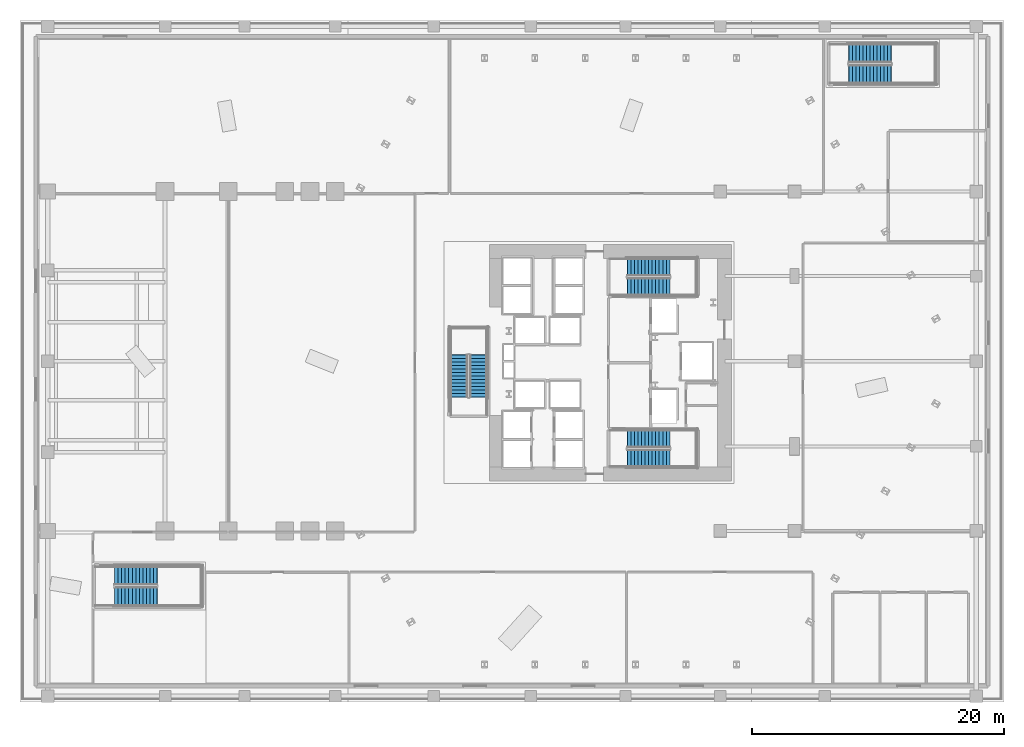
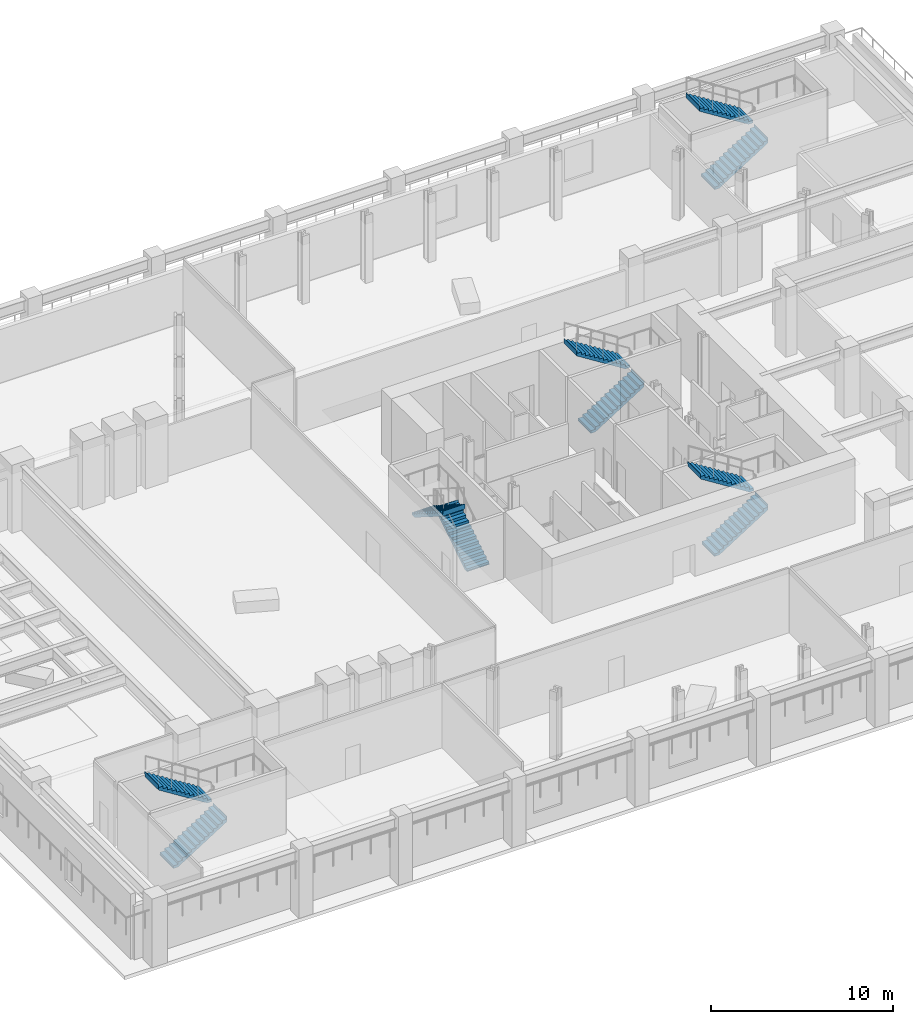
# One storey, part 8 of 18: 10 stair flights, 5 elements without a shape of their own.
"""IFC4 building model written with IfcOpenShell, lengths in metres."""

from ifc_helpers import new_model, si_unit, direction, frame, origin, place, context, subcontext, project, spatial, polyline, outline, extrude, material, type_object, element, aggregate, save


model = new_model("IFC4")

# Units and contexts
model_context = context("Model", 3, precision=1e-05, world=origin(), true_north=direction((0.0, 1.0)))
body_context = subcontext(model_context, "Body", "Model", "MODEL_VIEW")
ifc_project = project(units=[si_unit("LENGTHUNIT", "METRE"), si_unit("AREAUNIT", "SQUARE_METRE"), si_unit("VOLUMEUNIT", "CUBIC_METRE"), si_unit("PLANEANGLEUNIT", "RADIAN"), si_unit("MASSUNIT", "GRAM", prefix="KILO")], contexts=[model_context])

# Site, building, storey
site_placement = place(None, origin())
site = spatial("IfcSite", under=ifc_project, at=site_placement, CompositionType="ELEMENT")
building_placement = place(site_placement, origin())
building = spatial("IfcBuilding", under=site, at=building_placement, Name="Valkerne Bourse Tower", CompositionType="ELEMENT")
storey_placement = place(building_placement, frame((0.0, 0.0, 14.800048828125)))
storey = spatial("IfcBuildingStorey", under=building, at=storey_placement, Name="L03", CompositionType="ELEMENT", Elevation=14.800048828125)

# Stair, stair flights
ifc_material = material(Name="Concrete C40/50", Category="concrete")
stair_type_1 = type_object("IfcStairType", Name="ST-CORE-1400", PredefinedType="HALF_TURN_STAIR", material=ifc_material)
stair_1_placement = place(storey_placement, origin())
stair_1 = element("IfcStair", 1, at=stair_1_placement, inside=storey, type_object=stair_type_1, Name="L03 ST-1", PredefinedType="HALF_TURN_STAIR")
stair_flight_type_1 = type_object("IfcStairFlightType", Name="STF-CORE-1400", PredefinedType="STRAIGHT", material=ifc_material)
stair_flight_1_placement = place(storey_placement, frame((48.14990234375, 19.300048828125, 0.0), z_axis=(0.0, 0.0, 1.0), x_axis=(1.0, 0.0, 0.0)))
stair_flight_1 = element("IfcStairFlight", 2, at=stair_flight_1_placement, type_object=stair_flight_type_1, Name="ST-1 flight 1", NumberOfRisers=13, NumberOfTreads=12, PredefinedType="STRAIGHT", RiserHeight=0.176923077, TreadLength=0.28, context=body_context, shape_type="SweptSolid", body=[
    extrude(outline(polyline([(-0.02001953125, 0.0), (-0.02001953125, 0.044921875), (0.0, 0.044921875), (0.0, 0.177001953125), (0.280029296875, 0.177001953125), (0.280029296875, 0.353759765625), (0.56005859375, 0.353759765625), (0.56005859375, 0.53076171875), (0.840087890625, 0.53076171875), (0.840087890625, 0.707763671875), (1.1201171875, 0.707763671875), (1.1201171875, 0.884521484375), (1.39990234375, 0.884521484375), (1.39990234375, 1.0615234375), (1.679931640625, 1.0615234375), (1.679931640625, 1.238525390625), (1.9599609375, 1.238525390625), (1.9599609375, 1.415283203125), (2.239990234375, 1.415283203125), (2.239990234375, 1.59228515625), (2.52001953125, 1.59228515625), (2.52001953125, 1.769287109375), (2.800048828125, 1.769287109375), (2.800048828125, 1.946044921875), (3.080078125, 1.946044921875), (3.080078125, 2.123046875), (3.360107421875, 2.123046875), (3.360107421875, 2.300048828125), (3.3798828125, 2.300048828125), (3.3798828125, 2.179931640625), (3.360107421875, 1.94580078125), (0.280517578125, 0.0), (-0.02001953125, 0.0)])), frame((0.0, 0.699951171875, 0.0), z_axis=(0.0, -1.0, 0.0), x_axis=(1.0, 0.0, 0.0)), (0.0, 0.0, 1.0), 1.39990234375),
])
stair_flight_2_placement = place(storey_placement, frame((51.510009765625, 20.85009765625, 2.300048828125), z_axis=(0.0, 0.0, 1.0), x_axis=(-1.0, 0.0, 0.0)))
stair_flight_2 = element("IfcStairFlight", 3, at=stair_flight_2_placement, type_object=stair_flight_type_1, Name="ST-1 flight 2", NumberOfRisers=13, NumberOfTreads=12, PredefinedType="STRAIGHT", RiserHeight=0.176923077, TreadLength=0.28, context=body_context, shape_type="SweptSolid", body=[
    extrude(outline(polyline([(-0.02001953125, 0.0), (-0.02001953125, 0.044921875), (0.0, 0.044921875), (0.0, 0.177001953125), (0.280029296875, 0.177001953125), (0.280029296875, 0.353759765625), (0.56005859375, 0.353759765625), (0.56005859375, 0.53076171875), (0.840087890625, 0.53076171875), (0.840087890625, 0.707763671875), (1.1201171875, 0.707763671875), (1.1201171875, 0.884521484375), (1.39990234375, 0.884521484375), (1.39990234375, 1.0615234375), (1.679931640625, 1.0615234375), (1.679931640625, 1.238525390625), (1.9599609375, 1.238525390625), (1.9599609375, 1.415283203125), (2.239990234375, 1.415283203125), (2.239990234375, 1.59228515625), (2.52001953125, 1.59228515625), (2.52001953125, 1.769287109375), (2.800048828125, 1.769287109375), (2.800048828125, 1.946044921875), (3.080078125, 1.946044921875), (3.080078125, 2.123046875), (3.360107421875, 2.123046875), (3.360107421875, 2.300048828125), (3.3798828125, 2.300048828125), (3.3798828125, 2.179931640625), (3.360107421875, 1.94580078125), (0.280517578125, 0.0), (-0.02001953125, 0.0)])), frame((0.0, 0.699951171875, 0.0), z_axis=(0.0, -1.0, 0.0), x_axis=(1.0, 0.0, 0.0)), (0.0, 0.0, 1.0), 1.39990234375),
])
aggregate(stair_1, [stair_flight_1, stair_flight_2])

stair_2_placement = place(storey_placement, origin())
stair_2 = element("IfcStair", 4, at=stair_2_placement, inside=storey, type_object=stair_type_1, Name="L03 ST-2", PredefinedType="HALF_TURN_STAIR")
stair_flight_3_placement = place(storey_placement, frame((48.14990234375, 32.89990234375, 0.0), z_axis=(0.0, 0.0, 1.0), x_axis=(1.0, 0.0, 0.0)))
stair_flight_3 = element("IfcStairFlight", 5, at=stair_flight_3_placement, type_object=stair_flight_type_1, Name="ST-2 flight 1", NumberOfRisers=13, NumberOfTreads=12, PredefinedType="STRAIGHT", RiserHeight=0.176923077, TreadLength=0.28, context=body_context, shape_type="SweptSolid", body=[
    extrude(outline(polyline([(-0.02001953125, 0.0), (-0.02001953125, 0.044921875), (0.0, 0.044921875), (0.0, 0.177001953125), (0.280029296875, 0.177001953125), (0.280029296875, 0.353759765625), (0.56005859375, 0.353759765625), (0.56005859375, 0.53076171875), (0.840087890625, 0.53076171875), (0.840087890625, 0.707763671875), (1.1201171875, 0.707763671875), (1.1201171875, 0.884521484375), (1.39990234375, 0.884521484375), (1.39990234375, 1.0615234375), (1.679931640625, 1.0615234375), (1.679931640625, 1.238525390625), (1.9599609375, 1.238525390625), (1.9599609375, 1.415283203125), (2.239990234375, 1.415283203125), (2.239990234375, 1.59228515625), (2.52001953125, 1.59228515625), (2.52001953125, 1.769287109375), (2.800048828125, 1.769287109375), (2.800048828125, 1.946044921875), (3.080078125, 1.946044921875), (3.080078125, 2.123046875), (3.360107421875, 2.123046875), (3.360107421875, 2.300048828125), (3.3798828125, 2.300048828125), (3.3798828125, 2.179931640625), (3.360107421875, 1.94580078125), (0.280517578125, 0.0), (-0.02001953125, 0.0)])), frame((0.0, 0.699951171875, 0.0), z_axis=(0.0, -1.0, 0.0), x_axis=(1.0, 0.0, 0.0)), (0.0, 0.0, 1.0), 1.39990234375),
])
stair_flight_4_placement = place(storey_placement, frame((51.510009765625, 34.449951171875, 2.300048828125), z_axis=(0.0, 0.0, 1.0), x_axis=(-1.0, 0.0, 0.0)))
stair_flight_4 = element("IfcStairFlight", 6, at=stair_flight_4_placement, type_object=stair_flight_type_1, Name="ST-2 flight 2", NumberOfRisers=13, NumberOfTreads=12, PredefinedType="STRAIGHT", RiserHeight=0.176923077, TreadLength=0.28, context=body_context, shape_type="SweptSolid", body=[
    extrude(outline(polyline([(-0.02001953125, 0.0), (-0.02001953125, 0.044921875), (0.0, 0.044921875), (0.0, 0.177001953125), (0.280029296875, 0.177001953125), (0.280029296875, 0.353759765625), (0.56005859375, 0.353759765625), (0.56005859375, 0.53076171875), (0.840087890625, 0.53076171875), (0.840087890625, 0.707763671875), (1.1201171875, 0.707763671875), (1.1201171875, 0.884521484375), (1.39990234375, 0.884521484375), (1.39990234375, 1.0615234375), (1.679931640625, 1.0615234375), (1.679931640625, 1.238525390625), (1.9599609375, 1.238525390625), (1.9599609375, 1.415283203125), (2.239990234375, 1.415283203125), (2.239990234375, 1.59228515625), (2.52001953125, 1.59228515625), (2.52001953125, 1.769287109375), (2.800048828125, 1.769287109375), (2.800048828125, 1.946044921875), (3.080078125, 1.946044921875), (3.080078125, 2.123046875), (3.360107421875, 2.123046875), (3.360107421875, 2.300048828125), (3.3798828125, 2.300048828125), (3.3798828125, 2.179931640625), (3.360107421875, 1.94580078125), (0.280517578125, 0.0), (-0.02001953125, 0.0)])), frame((0.0, 0.699951171875, 0.0), z_axis=(0.0, -1.0, 0.0), x_axis=(1.0, 0.0, 0.0)), (0.0, 0.0, 1.0), 1.39990234375),
])
aggregate(stair_2, [stair_flight_3, stair_flight_4])

stair_3_placement = place(storey_placement, origin())
stair_3 = element("IfcStair", 7, at=stair_3_placement, inside=storey, type_object=stair_type_1, Name="L03 ST-3", PredefinedType="HALF_TURN_STAIR")
stair_flight_5_placement = place(storey_placement, frame((36.35009765625, 24.14990234375, 0.0), z_axis=(0.0, 0.0, 1.0), x_axis=(0.0, 1.0, 0.0)))
stair_flight_5 = element("IfcStairFlight", 8, at=stair_flight_5_placement, type_object=stair_flight_type_1, Name="ST-3 flight 1", NumberOfRisers=13, NumberOfTreads=12, PredefinedType="STRAIGHT", RiserHeight=0.176923077, TreadLength=0.28, context=body_context, shape_type="SweptSolid", body=[
    extrude(outline(polyline([(-0.02001953125, 0.0), (-0.02001953125, 0.044921875), (0.0, 0.044921875), (0.0, 0.177001953125), (0.280029296875, 0.177001953125), (0.280029296875, 0.353759765625), (0.56005859375, 0.353759765625), (0.56005859375, 0.53076171875), (0.840087890625, 0.53076171875), (0.840087890625, 0.707763671875), (1.1201171875, 0.707763671875), (1.1201171875, 0.884521484375), (1.39990234375, 0.884521484375), (1.39990234375, 1.0615234375), (1.679931640625, 1.0615234375), (1.679931640625, 1.238525390625), (1.9599609375, 1.238525390625), (1.9599609375, 1.415283203125), (2.239990234375, 1.415283203125), (2.239990234375, 1.59228515625), (2.52001953125, 1.59228515625), (2.52001953125, 1.769287109375), (2.800048828125, 1.769287109375), (2.800048828125, 1.946044921875), (3.080078125, 1.946044921875), (3.080078125, 2.123046875), (3.360107421875, 2.123046875), (3.360107421875, 2.300048828125), (3.3798828125, 2.300048828125), (3.3798828125, 2.179931640625), (3.360107421875, 1.94580078125), (0.280517578125, 0.0), (-0.02001953125, 0.0)])), frame((0.0, 0.699951171875, 0.0), z_axis=(0.0, -1.0, 0.0), x_axis=(1.0, 0.0, 0.0)), (0.0, 0.0, 1.0), 1.39990234375),
])
stair_flight_6_placement = place(storey_placement, frame((34.800048828125, 27.510009765625, 2.300048828125), z_axis=(0.0, 0.0, 1.0), x_axis=(0.0, -1.0, 0.0)))
stair_flight_6 = element("IfcStairFlight", 9, at=stair_flight_6_placement, type_object=stair_flight_type_1, Name="ST-3 flight 2", NumberOfRisers=13, NumberOfTreads=12, PredefinedType="STRAIGHT", RiserHeight=0.176923077, TreadLength=0.28, context=body_context, shape_type="SweptSolid", body=[
    extrude(outline(polyline([(-0.02001953125, 0.0), (-0.02001953125, 0.044921875), (0.0, 0.044921875), (0.0, 0.177001953125), (0.280029296875, 0.177001953125), (0.280029296875, 0.353759765625), (0.56005859375, 0.353759765625), (0.56005859375, 0.53076171875), (0.840087890625, 0.53076171875), (0.840087890625, 0.707763671875), (1.1201171875, 0.707763671875), (1.1201171875, 0.884521484375), (1.39990234375, 0.884521484375), (1.39990234375, 1.0615234375), (1.679931640625, 1.0615234375), (1.679931640625, 1.238525390625), (1.9599609375, 1.238525390625), (1.9599609375, 1.415283203125), (2.239990234375, 1.415283203125), (2.239990234375, 1.59228515625), (2.52001953125, 1.59228515625), (2.52001953125, 1.769287109375), (2.800048828125, 1.769287109375), (2.800048828125, 1.946044921875), (3.080078125, 1.946044921875), (3.080078125, 2.123046875), (3.360107421875, 2.123046875), (3.360107421875, 2.300048828125), (3.3798828125, 2.300048828125), (3.3798828125, 2.179931640625), (3.360107421875, 1.94580078125), (0.280517578125, 0.0), (-0.02001953125, 0.0)])), frame((0.0, 0.699951171875, 0.0), z_axis=(0.0, -1.0, 0.0), x_axis=(1.0, 0.0, 0.0)), (0.0, 0.0, 1.0), 1.39990234375),
])
aggregate(stair_3, [stair_flight_5, stair_flight_6])

stair_type_2 = type_object("IfcStairType", Name="ST-POD-1500", PredefinedType="HALF_TURN_STAIR", material=ifc_material)
stair_4_placement = place(storey_placement, origin())
stair_4 = element("IfcStair", 10, at=stair_4_placement, inside=storey, type_object=stair_type_2, Name="L03 ST-P1", PredefinedType="HALF_TURN_STAIR")
stair_flight_type_2 = type_object("IfcStairFlightType", Name="STF-POD-1500", PredefinedType="STRAIGHT", material=ifc_material)
stair_flight_7_placement = place(storey_placement, frame((7.5, 8.35009765625, 0.0), z_axis=(0.0, 0.0, 1.0), x_axis=(1.0, 0.0, 0.0)))
stair_flight_7 = element("IfcStairFlight", 11, at=stair_flight_7_placement, type_object=stair_flight_type_2, Name="ST-P1 flight 1", NumberOfRisers=13, NumberOfTreads=12, PredefinedType="STRAIGHT", RiserHeight=0.176923077, TreadLength=0.28, context=body_context, shape_type="SweptSolid", body=[
    extrude(outline(polyline([(-0.02001953125, 0.0), (-0.02001953125, 0.044921875), (0.0, 0.044921875), (0.0, 0.177001953125), (0.280029296875, 0.177001953125), (0.280029296875, 0.353759765625), (0.56005859375, 0.353759765625), (0.56005859375, 0.53076171875), (0.840087890625, 0.53076171875), (0.840087890625, 0.707763671875), (1.1201171875, 0.707763671875), (1.1201171875, 0.884521484375), (1.39990234375, 0.884521484375), (1.39990234375, 1.0615234375), (1.679931640625, 1.0615234375), (1.679931640625, 1.238525390625), (1.9599609375, 1.238525390625), (1.9599609375, 1.415283203125), (2.239990234375, 1.415283203125), (2.239990234375, 1.59228515625), (2.52001953125, 1.59228515625), (2.52001953125, 1.769287109375), (2.800048828125, 1.769287109375), (2.800048828125, 1.946044921875), (3.080078125, 1.946044921875), (3.080078125, 2.123046875), (3.360107421875, 2.123046875), (3.360107421875, 2.300048828125), (3.3798828125, 2.300048828125), (3.3798828125, 2.179931640625), (3.360107421875, 1.94580078125), (0.280517578125, 0.0), (-0.02001953125, 0.0)])), frame((0.0, 0.75, 0.0), z_axis=(0.0, -1.0, 0.0), x_axis=(1.0, 0.0, 0.0)), (0.0, 0.0, 1.0), 1.5),
])
stair_flight_8_placement = place(storey_placement, frame((10.860107421875, 10.0, 2.300048828125), z_axis=(0.0, 0.0, 1.0), x_axis=(-1.0, 0.0, 0.0)))
stair_flight_8 = element("IfcStairFlight", 12, at=stair_flight_8_placement, type_object=stair_flight_type_2, Name="ST-P1 flight 2", NumberOfRisers=13, NumberOfTreads=12, PredefinedType="STRAIGHT", RiserHeight=0.176923077, TreadLength=0.28, context=body_context, shape_type="SweptSolid", body=[
    extrude(outline(polyline([(-0.02001953125, 0.0), (-0.02001953125, 0.044921875), (0.0, 0.044921875), (0.0, 0.177001953125), (0.280029296875, 0.177001953125), (0.280029296875, 0.353759765625), (0.56005859375, 0.353759765625), (0.56005859375, 0.53076171875), (0.840087890625, 0.53076171875), (0.840087890625, 0.707763671875), (1.1201171875, 0.707763671875), (1.1201171875, 0.884521484375), (1.39990234375, 0.884521484375), (1.39990234375, 1.0615234375), (1.679931640625, 1.0615234375), (1.679931640625, 1.238525390625), (1.9599609375, 1.238525390625), (1.9599609375, 1.415283203125), (2.239990234375, 1.415283203125), (2.239990234375, 1.59228515625), (2.52001953125, 1.59228515625), (2.52001953125, 1.769287109375), (2.800048828125, 1.769287109375), (2.800048828125, 1.946044921875), (3.080078125, 1.946044921875), (3.080078125, 2.123046875), (3.360107421875, 2.123046875), (3.360107421875, 2.300048828125), (3.3798828125, 2.300048828125), (3.3798828125, 2.179931640625), (3.360107421875, 1.94580078125), (0.280517578125, 0.0), (-0.02001953125, 0.0)])), frame((0.0, 0.75, 0.0), z_axis=(0.0, -1.0, 0.0), x_axis=(1.0, 0.0, 0.0)), (0.0, 0.0, 1.0), 1.5),
])
aggregate(stair_4, [stair_flight_7, stair_flight_8])

stair_5_placement = place(storey_placement, origin())
stair_5 = element("IfcStair", 13, at=stair_5_placement, inside=storey, type_object=stair_type_2, Name="L03 ST-P2", PredefinedType="HALF_TURN_STAIR")
stair_flight_9_placement = place(storey_placement, frame((65.699951171875, 49.75, 0.0), z_axis=(0.0, 0.0, 1.0), x_axis=(1.0, 0.0, 0.0)))
stair_flight_9 = element("IfcStairFlight", 14, at=stair_flight_9_placement, type_object=stair_flight_type_2, Name="ST-P2 flight 1", NumberOfRisers=13, NumberOfTreads=12, PredefinedType="STRAIGHT", RiserHeight=0.176923077, TreadLength=0.28, context=body_context, shape_type="SweptSolid", body=[
    extrude(outline(polyline([(-0.02001953125, 0.0), (-0.02001953125, 0.044921875), (0.0, 0.044921875), (0.0, 0.177001953125), (0.280029296875, 0.177001953125), (0.280029296875, 0.353759765625), (0.56005859375, 0.353759765625), (0.56005859375, 0.53076171875), (0.840087890625, 0.53076171875), (0.840087890625, 0.707763671875), (1.1201171875, 0.707763671875), (1.1201171875, 0.884521484375), (1.39990234375, 0.884521484375), (1.39990234375, 1.0615234375), (1.679931640625, 1.0615234375), (1.679931640625, 1.238525390625), (1.9599609375, 1.238525390625), (1.9599609375, 1.415283203125), (2.239990234375, 1.415283203125), (2.239990234375, 1.59228515625), (2.52001953125, 1.59228515625), (2.52001953125, 1.769287109375), (2.800048828125, 1.769287109375), (2.800048828125, 1.946044921875), (3.080078125, 1.946044921875), (3.080078125, 2.123046875), (3.360107421875, 2.123046875), (3.360107421875, 2.300048828125), (3.3798828125, 2.300048828125), (3.3798828125, 2.179931640625), (3.360107421875, 1.94580078125), (0.280517578125, 0.0), (-0.02001953125, 0.0)])), frame((0.0, 0.75, 0.0), z_axis=(0.0, -1.0, 0.0), x_axis=(1.0, 0.0, 0.0)), (0.0, 0.0, 1.0), 1.5),
])
stair_flight_10_placement = place(storey_placement, frame((69.06005859375, 51.39990234375, 2.300048828125), z_axis=(0.0, 0.0, 1.0), x_axis=(-1.0, 0.0, 0.0)))
stair_flight_10 = element("IfcStairFlight", 15, at=stair_flight_10_placement, type_object=stair_flight_type_2, Name="ST-P2 flight 2", NumberOfRisers=13, NumberOfTreads=12, PredefinedType="STRAIGHT", RiserHeight=0.176923077, TreadLength=0.28, context=body_context, shape_type="SweptSolid", body=[
    extrude(outline(polyline([(-0.02001953125, 0.0), (-0.02001953125, 0.044921875), (0.0, 0.044921875), (0.0, 0.177001953125), (0.280029296875, 0.177001953125), (0.280029296875, 0.353759765625), (0.56005859375, 0.353759765625), (0.56005859375, 0.53076171875), (0.840087890625, 0.53076171875), (0.840087890625, 0.707763671875), (1.1201171875, 0.707763671875), (1.1201171875, 0.884521484375), (1.39990234375, 0.884521484375), (1.39990234375, 1.0615234375), (1.679931640625, 1.0615234375), (1.679931640625, 1.238525390625), (1.9599609375, 1.238525390625), (1.9599609375, 1.415283203125), (2.239990234375, 1.415283203125), (2.239990234375, 1.59228515625), (2.52001953125, 1.59228515625), (2.52001953125, 1.769287109375), (2.800048828125, 1.769287109375), (2.800048828125, 1.946044921875), (3.080078125, 1.946044921875), (3.080078125, 2.123046875), (3.360107421875, 2.123046875), (3.360107421875, 2.300048828125), (3.3798828125, 2.300048828125), (3.3798828125, 2.179931640625), (3.360107421875, 1.94580078125), (0.280517578125, 0.0), (-0.02001953125, 0.0)])), frame((0.0, 0.75, 0.0), z_axis=(0.0, -1.0, 0.0), x_axis=(1.0, 0.0, 0.0)), (0.0, 0.0, 1.0), 1.5),
])
aggregate(stair_5, [stair_flight_9, stair_flight_10])

save(model, "model.ifc")
